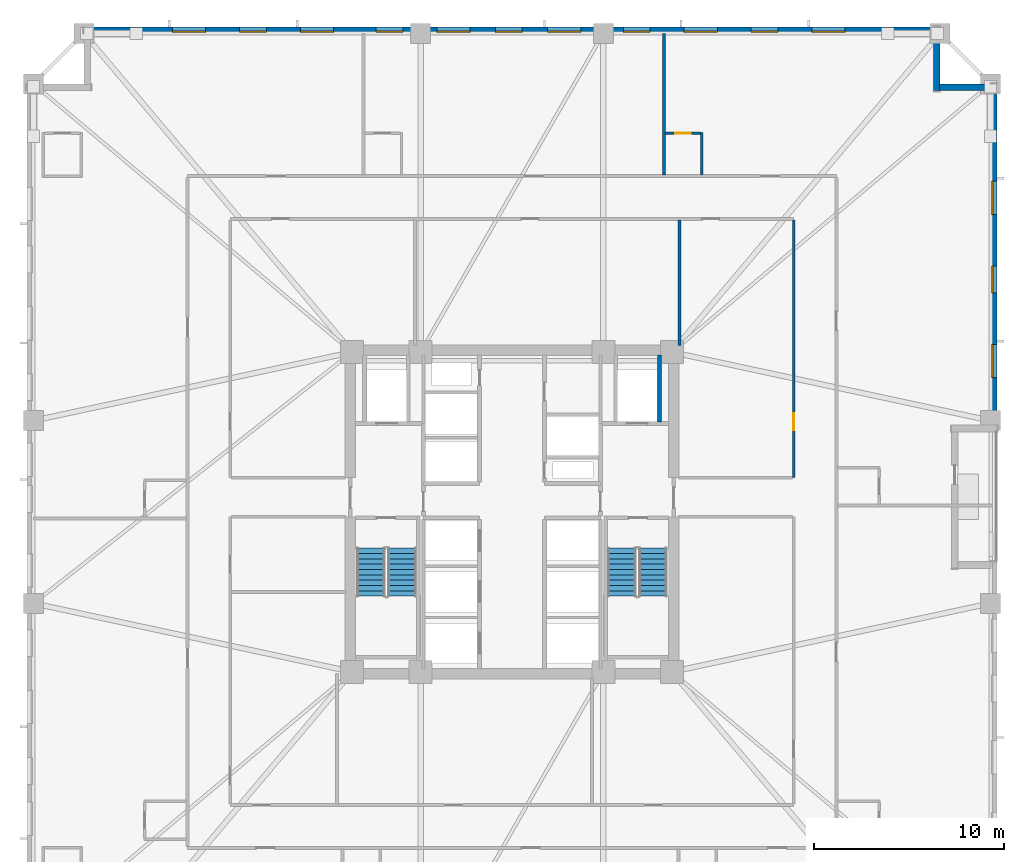
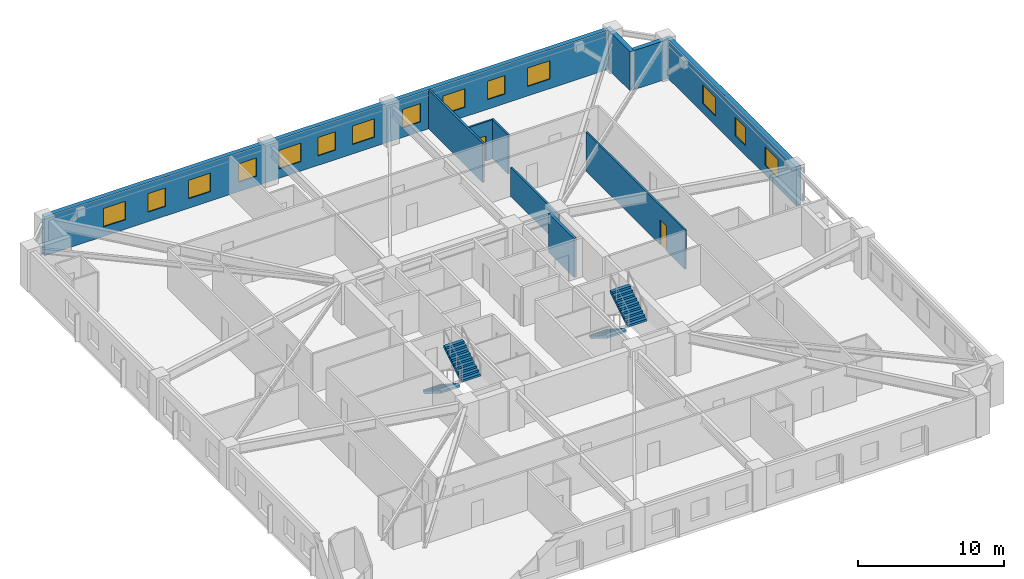
# One storey, part 6 of 11: 14 windows, 10 walls, 4 stair flights, 2 doors, 16 openings, 2 elements without a shape of their own.
"""IFC4 building model written with IfcOpenShell, lengths in metres."""

from ifc_helpers import new_model, si_unit, direction, frame, frame_2d, origin, place, context, subcontext, project, spatial, polyline, rectangle, outline, extrude, material, layer, layer_set, type_object, element, fill, aggregate, save


model = new_model("IFC4")

# Units and contexts
model_context = context("Model", 3, precision=1e-05, world=origin(), true_north=direction((0.0, 1.0)))
body_context = subcontext(model_context, "Body", "Model", "MODEL_VIEW")
ifc_project = project(units=[si_unit("LENGTHUNIT", "METRE"), si_unit("AREAUNIT", "SQUARE_METRE"), si_unit("VOLUMEUNIT", "CUBIC_METRE"), si_unit("PLANEANGLEUNIT", "RADIAN"), si_unit("MASSUNIT", "GRAM", prefix="KILO")], contexts=[model_context])

# Site, building, storey
site_placement = place(None, origin())
site = spatial("IfcSite", under=ifc_project, at=site_placement, CompositionType="ELEMENT")
building_placement = place(site_placement, origin())
building = spatial("IfcBuilding", under=site, at=building_placement, Name="Cairnveth Concourse Tower", CompositionType="ELEMENT")
storey_placement = place(building_placement, frame((0.0, 0.0, 72.5)))
storey = spatial("IfcBuildingStorey", under=building, at=storey_placement, Name="L19", CompositionType="ELEMENT", Elevation=72.5)

# Walls
ifc_material_1 = material(Name="Gypsum Plasterboard Partition", Category="gypsum")
ifc_layer_1 = layer(ifc_material_1, 0.159912109375)
ifc_layer_set_1 = layer_set([ifc_layer_1], Name="Gypsum Plasterboard Partition")
wall_type_1 = type_object("IfcWallType", Name="ACOUSTIC PARTY WALL 180", PredefinedType="PARTITIONING", material=ifc_layer_set_1)
wall_1_placement = place(storey_placement, frame((59.9775390625, 56.715087890625, 0.0), z_axis=(0.0, 0.0, 1.0), x_axis=(0.0, 1.0, 0.0)))
element("IfcWall", 1, at=wall_1_placement, inside=storey, type_object=wall_type_1, Name="Interior Wall IW-L19-073", PredefinedType="PARTITIONING", context=body_context, shape_type="SweptSolid", body=[
    extrude(rectangle(XDim=7.43994140625, YDim=0.159912109375, at=frame_2d((3.719970703125, 0.0))), origin(), (0.0, 0.0, 1.0), 3.280029296875),
])
ifc_material_2 = material(Name="Concrete N50 (50 MPa)", Category="concrete")
ifc_layer_2 = layer(ifc_material_2, 0.199951171875)
ifc_layer_set_2 = layer_set([ifc_layer_2], Name="Concrete N50 (50 MPa)")
wall_type_2 = type_object("IfcWallType", Name="FIRE SHAFT WALL 200", PredefinedType="SOLIDWALL", material=ifc_layer_set_2)
wall_2_placement = place(storey_placement, frame((59.75, 43.735107421875, 0.0), z_axis=(0.0, 0.0, 1.0), x_axis=(0.0, 1.0, 0.0)))
element("IfcWall", 2, at=wall_2_placement, inside=storey, type_object=wall_type_2, Name="Interior Wall IW-L19-024", PredefinedType="SOLIDWALL", context=body_context, shape_type="SweptSolid", body=[
    extrude(rectangle(XDim=3.5048828125, YDim=0.199951171875, at=frame_2d((1.75244140625, 0.0))), origin(), (0.0, 0.0, 1.0), 3.280029296875),
])

# Wall, opening, door
ifc_layer_3 = layer(ifc_material_1, 0.139892578125)
ifc_layer_set_3 = layer_set([ifc_layer_3], Name="Gypsum Plasterboard Partition")
wall_type_3 = type_object("IfcWallType", Name="GYPSUM STUD PARTITION 140", PredefinedType="PARTITIONING", material=ifc_layer_set_3)
wall_3_placement = place(storey_placement, frame((66.800048828125, 40.800048828125, 0.0), z_axis=(0.0, 0.0, 1.0), x_axis=(0.0, 1.0, 0.0)))
wall_3 = element("IfcWall", 3, at=wall_3_placement, inside=storey, type_object=wall_type_3, Name="Interior Wall IW-L19-048", PredefinedType="PARTITIONING", context=body_context, shape_type="SweptSolid", body=[
    extrude(rectangle(XDim=13.544921875, YDim=0.139892578125, at=frame_2d((6.7724609375, 0.0))), origin(), (0.0, 0.0, 1.0), 3.280029296875),
])
opening_1_placement = place(wall_3_placement, frame((2.5, 0.0, 0.0)))
opening_1 = element("IfcOpeningElement", 4, at=opening_1_placement, cuts=wall_3, Name="Opening ID18", PredefinedType="OPENING", context=body_context, shape_type="SweptSolid", body=[
    extrude(rectangle(XDim=0.8798828125, YDim=2.10009765625, at=frame_2d((0.43994140625, 1.050048828125))), frame((0.0, 0.079833984375, 0.0), z_axis=(0.0, -1.0, 0.0), x_axis=(1.0, 0.0, 0.0)), (0.0, 0.0, 1.0), 0.159912109375),
])
ifc_material_3 = material(Name="Solid Core Hardwood Timber Leaf", Category="wood")
door_type_1 = type_object("IfcDoorType", Name="INTERIOR SINGLE DOOR 880X2100", OperationType="NOTDEFINED", PredefinedType="DOOR", material=ifc_material_3)
door_1_placement = place(opening_1_placement, origin())
door_1 = element("IfcDoor", 5, at=door_1_placement, inside=storey, type_object=door_type_1, Name="Interior Door DR-L19-023", OperationType="SINGLE_SWING_LEFT", OverallHeight=2.10009765625, OverallWidth=0.8798828125, PredefinedType="DOOR", context=body_context, shape_type="SweptSolid", body=[
    extrude(rectangle(XDim=0.8798828125, YDim=2.10009765625, at=frame_2d((0.43994140625, 1.050048828125))), frame((0.0, 0.02490234375, 0.0), z_axis=(0.0, -1.0, 0.0), x_axis=(1.0, 0.0, 0.0)), (0.0, 0.0, 1.0), 0.050048828125),
])
fill(opening_1, door_1)

# Walls
wall_4_placement = place(storey_placement, frame((60.800048828125, 47.760009765625, 0.0), z_axis=(0.0, 0.0, 1.0), x_axis=(0.0, 1.0, 0.0)))
element("IfcWall", 6, at=wall_4_placement, inside=storey, type_object=wall_type_3, Name="Interior Wall IW-L19-054", PredefinedType="PARTITIONING", context=body_context, shape_type="SweptSolid", body=[
    extrude(rectangle(XDim=6.5849609375, YDim=0.139892578125, at=frame_2d((3.29248046875, 0.0))), origin(), (0.0, 0.0, 1.0), 2.43896484375),
])
ifc_layer_4 = layer(ifc_material_1, 0.1298828125)
ifc_layer_set_4 = layer_set([ifc_layer_4], Name="Gypsum Plasterboard Partition")
wall_type_4 = type_object("IfcWallType", Name="WET AREA PARTITION 140", PredefinedType="PLUMBINGWALL", material=ifc_layer_set_4)
wall_5_placement = place(storey_placement, frame((61.9775390625, 56.715087890625, 0.0), z_axis=(0.0, 0.0, 1.0), x_axis=(0.0, 1.0, 0.0)))
element("IfcWall", 7, at=wall_5_placement, inside=storey, type_object=wall_type_4, Name="Interior Wall IW-L19-074", PredefinedType="PLUMBINGWALL", context=body_context, shape_type="SweptSolid", body=[
    extrude(rectangle(XDim=2.23486328125, YDim=0.1298828125, at=frame_2d((1.117431640625, 0.0))), origin(), (0.0, 0.0, 1.0), 3.280029296875),
])

# Wall, opening, door
wall_6_placement = place(storey_placement, frame((60.04248046875, 58.89990234375, 0.0), z_axis=(0.0, 0.0, 1.0), x_axis=(1.0, 0.0, 0.0)))
wall_6 = element("IfcWall", 8, at=wall_6_placement, inside=storey, type_object=wall_type_4, Name="Interior Wall IW-L19-075", PredefinedType="PLUMBINGWALL", context=body_context, shape_type="SweptSolid", body=[
    extrude(rectangle(XDim=1.885009765625, YDim=0.1298828125, at=frame_2d((0.9423828125, 0.0))), origin(), (0.0, 0.0, 1.0), 3.280029296875),
])
opening_2_placement = place(wall_6_placement, frame((0.52490234375, 0.0, 0.0)))
opening_2 = element("IfcOpeningElement", 9, at=opening_2_placement, cuts=wall_6, Name="Opening ID22", PredefinedType="OPENING", context=body_context, shape_type="SweptSolid", body=[
    extrude(rectangle(XDim=0.820068359375, YDim=2.10009765625, at=frame_2d((0.41015625, 1.050048828125))), frame((0.0, 0.074951171875, 0.0), z_axis=(0.0, -1.0, 0.0), x_axis=(1.0, 0.0, 0.0)), (0.0, 0.0, 1.0), 0.14990234375),
])
door_type_2 = type_object("IfcDoorType", Name="INTERIOR WC DOOR 820X2100", OperationType="NOTDEFINED", PredefinedType="DOOR", material=ifc_material_3)
door_2_placement = place(opening_2_placement, origin())
door_2 = element("IfcDoor", 10, at=door_2_placement, inside=storey, type_object=door_type_2, Name="En-Suite Door L19-N3", OperationType="SINGLE_SWING_RIGHT", OverallHeight=2.10009765625, OverallWidth=0.820068359375, PredefinedType="DOOR", context=body_context, shape_type="SweptSolid", body=[
    extrude(rectangle(XDim=0.820068359375, YDim=2.10009765625, at=frame_2d((0.41015625, 1.050048828125))), frame((0.0, 0.02490234375, 0.0), z_axis=(0.0, -1.0, 0.0), x_axis=(1.0, 0.0, 0.0)), (0.0, 0.0, 1.0), 0.050048828125),
])
fill(opening_2, door_2)

# Wall, openings, windows
ifc_material_4 = material(Name="Hawthorn Red-Ochre Fired Clay Brick Masonry", Category="masonry")
ifc_layer_5 = layer(ifc_material_4, 0.360107421875)
ifc_layer_set_5 = layer_set([ifc_layer_5], Name="Hawthorn Red-Ochre Fired Clay Brick Masonry")
wall_type_5 = type_object("IfcWallType", Name="ZONE 1 BRICK PIER SPANDREL WALL 360", PredefinedType="SOLIDWALL", material=ifc_layer_set_5)
wall_7_placement = place(storey_placement, frame((29.5, 64.320068359375, 0.0), z_axis=(0.0, 0.0, 1.0), x_axis=(1.0, 0.0, 0.0)))
wall_7 = element("IfcWall", 11, at=wall_7_placement, inside=storey, type_object=wall_type_5, Name="Exterior Wall EW-L19-S09", PredefinedType="SOLIDWALL", context=body_context, shape_type="SweptSolid", body=[
    extrude(rectangle(XDim=44.662109375, YDim=0.360107421875, at=frame_2d((22.3310546875, 0.0))), origin(), (0.0, 0.0, 1.0), 3.280029296875),
])
opening_3_placement = place(wall_7_placement, frame((4.655029296875, 0.0, 0.800048828125)))
opening_3 = element("IfcOpeningElement", 12, at=opening_3_placement, cuts=wall_7, Name="Opening W06", PredefinedType="OPENING", context=body_context, shape_type="SweptSolid", body=[
    extrude(rectangle(XDim=1.75, YDim=1.5439453125, at=frame_2d((0.875, 0.77197265625))), frame((0.0, 0.18994140625, 0.0), z_axis=(0.0, -1.0, 0.0), x_axis=(1.0, 0.0, 0.0)), (0.0, 0.0, 1.0), 0.380126953125),
])
opening_4_placement = place(wall_7_placement, frame((8.190185546875, 0.0, 0.800048828125)))
opening_4 = element("IfcOpeningElement", 13, at=opening_4_placement, cuts=wall_7, Name="Opening W05", PredefinedType="OPENING", context=body_context, shape_type="SweptSolid", body=[
    extrude(rectangle(XDim=1.39990234375, YDim=1.5439453125, at=frame_2d((0.699951171875, 0.77197265625))), frame((0.0, 0.18994140625, 0.0), z_axis=(0.0, -1.0, 0.0), x_axis=(1.0, 0.0, 0.0)), (0.0, 0.0, 1.0), 0.380126953125),
])
opening_5_placement = place(wall_7_placement, frame((11.37548828125, 0.0, 0.800048828125)))
opening_5 = element("IfcOpeningElement", 14, at=opening_5_placement, cuts=wall_7, Name="Opening W06", PredefinedType="OPENING", context=body_context, shape_type="SweptSolid", body=[
    extrude(rectangle(XDim=1.75, YDim=1.5439453125, at=frame_2d((0.875, 0.77197265625))), frame((0.0, 0.18994140625, 0.0), z_axis=(0.0, -1.0, 0.0), x_axis=(1.0, 0.0, 0.0)), (0.0, 0.0, 1.0), 0.380126953125),
])
opening_6_placement = place(wall_7_placement, frame((15.360595703125, 0.0, 0.800048828125)))
opening_6 = element("IfcOpeningElement", 15, at=opening_6_placement, cuts=wall_7, Name="Opening W05", PredefinedType="OPENING", context=body_context, shape_type="SweptSolid", body=[
    extrude(rectangle(XDim=1.39990234375, YDim=1.5439453125, at=frame_2d((0.699951171875, 0.77197265625))), frame((0.0, 0.18994140625, 0.0), z_axis=(0.0, -1.0, 0.0), x_axis=(1.0, 0.0, 0.0)), (0.0, 0.0, 1.0), 0.380126953125),
])
opening_7_placement = place(wall_7_placement, frame((18.5458984375, 0.0, 0.800048828125)))
opening_7 = element("IfcOpeningElement", 16, at=opening_7_placement, cuts=wall_7, Name="Opening W06", PredefinedType="OPENING", context=body_context, shape_type="SweptSolid", body=[
    extrude(rectangle(XDim=1.75, YDim=1.5439453125, at=frame_2d((0.875, 0.77197265625))), frame((0.0, 0.18994140625, 0.0), z_axis=(0.0, -1.0, 0.0), x_axis=(1.0, 0.0, 0.0)), (0.0, 0.0, 1.0), 0.380126953125),
])
opening_8_placement = place(wall_7_placement, frame((21.631103515625, 0.0, 0.800048828125)))
opening_8 = element("IfcOpeningElement", 17, at=opening_8_placement, cuts=wall_7, Name="Opening W05", PredefinedType="OPENING", context=body_context, shape_type="SweptSolid", body=[
    extrude(rectangle(XDim=1.39990234375, YDim=1.5439453125, at=frame_2d((0.699951171875, 0.77197265625))), frame((0.0, 0.18994140625, 0.0), z_axis=(0.0, -1.0, 0.0), x_axis=(1.0, 0.0, 0.0)), (0.0, 0.0, 1.0), 0.380126953125),
])
opening_9_placement = place(wall_7_placement, frame((24.3662109375, 0.0, 0.800048828125)))
opening_9 = element("IfcOpeningElement", 18, at=opening_9_placement, cuts=wall_7, Name="Opening W06", PredefinedType="OPENING", context=body_context, shape_type="SweptSolid", body=[
    extrude(rectangle(XDim=1.75, YDim=1.5439453125, at=frame_2d((0.875, 0.77197265625))), frame((0.0, 0.18994140625, 0.0), z_axis=(0.0, -1.0, 0.0), x_axis=(1.0, 0.0, 0.0)), (0.0, 0.0, 1.0), 0.380126953125),
])
opening_10_placement = place(wall_7_placement, frame((28.351318359375, 0.0, 0.800048828125)))
opening_10 = element("IfcOpeningElement", 19, at=opening_10_placement, cuts=wall_7, Name="Opening W05", PredefinedType="OPENING", context=body_context, shape_type="SweptSolid", body=[
    extrude(rectangle(XDim=1.39990234375, YDim=1.5439453125, at=frame_2d((0.699951171875, 0.77197265625))), frame((0.0, 0.18994140625, 0.0), z_axis=(0.0, -1.0, 0.0), x_axis=(1.0, 0.0, 0.0)), (0.0, 0.0, 1.0), 0.380126953125),
])
opening_11_placement = place(wall_7_placement, frame((31.53662109375, 0.0, 0.800048828125)))
opening_11 = element("IfcOpeningElement", 20, at=opening_11_placement, cuts=wall_7, Name="Opening W06", PredefinedType="OPENING", context=body_context, shape_type="SweptSolid", body=[
    extrude(rectangle(XDim=1.75, YDim=1.5439453125, at=frame_2d((0.875, 0.77197265625))), frame((0.0, 0.18994140625, 0.0), z_axis=(0.0, -1.0, 0.0), x_axis=(1.0, 0.0, 0.0)), (0.0, 0.0, 1.0), 0.380126953125),
])
opening_12_placement = place(wall_7_placement, frame((35.07177734375, 0.0, 0.800048828125)))
opening_12 = element("IfcOpeningElement", 21, at=opening_12_placement, cuts=wall_7, Name="Opening W05", PredefinedType="OPENING", context=body_context, shape_type="SweptSolid", body=[
    extrude(rectangle(XDim=1.39990234375, YDim=1.5439453125, at=frame_2d((0.699951171875, 0.77197265625))), frame((0.0, 0.18994140625, 0.0), z_axis=(0.0, -1.0, 0.0), x_axis=(1.0, 0.0, 0.0)), (0.0, 0.0, 1.0), 0.380126953125),
])
opening_13_placement = place(wall_7_placement, frame((38.2568359375, 0.0, 0.800048828125)))
opening_13 = element("IfcOpeningElement", 22, at=opening_13_placement, cuts=wall_7, Name="Opening W06", PredefinedType="OPENING", context=body_context, shape_type="SweptSolid", body=[
    extrude(rectangle(XDim=1.75, YDim=1.5439453125, at=frame_2d((0.875, 0.77197265625))), frame((0.0, 0.18994140625, 0.0), z_axis=(0.0, -1.0, 0.0), x_axis=(1.0, 0.0, 0.0)), (0.0, 0.0, 1.0), 0.380126953125),
])
ifc_material_5 = material(Name="Double Glazed Low-E Clear Glass", Category="glass")
window_type_1 = type_object("IfcWindowType", Name="DEEP-SET HOTEL CASEMENT WINDOW 1400X1750", PartitioningType="DOUBLE_PANEL_VERTICAL", PredefinedType="WINDOW", material=ifc_material_5)
window_1_placement = place(opening_4_placement, origin())
window_1 = element("IfcWindow", 23, at=window_1_placement, inside=storey, type_object=window_type_1, Name="Gothic Lancet Window L19-9-2", OverallHeight=1.5439453125, OverallWidth=1.39990234375, PartitioningType="SINGLE_PANEL", PredefinedType="WINDOW", context=body_context, shape_type="SweptSolid", body=[
    extrude(rectangle(XDim=1.39990234375, YDim=1.5439453125, at=frame_2d((0.699951171875, 0.77197265625))), frame((0.0, -0.050048828125, 0.0), z_axis=(0.0, -1.0, 0.0), x_axis=(1.0, 0.0, 0.0)), (0.0, 0.0, 1.0), 0.06005859375),
])
fill(opening_4, window_1)
window_2_placement = place(opening_6_placement, origin())
window_2 = element("IfcWindow", 24, at=window_2_placement, inside=storey, type_object=window_type_1, Name="Gothic Lancet Window L19-9-4", OverallHeight=1.5439453125, OverallWidth=1.39990234375, PartitioningType="SINGLE_PANEL", PredefinedType="WINDOW", context=body_context, shape_type="SweptSolid", body=[
    extrude(rectangle(XDim=1.39990234375, YDim=1.5439453125, at=frame_2d((0.699951171875, 0.77197265625))), frame((0.0, -0.050048828125, 0.0), z_axis=(0.0, -1.0, 0.0), x_axis=(1.0, 0.0, 0.0)), (0.0, 0.0, 1.0), 0.06005859375),
])
fill(opening_6, window_2)
window_3_placement = place(opening_8_placement, origin())
window_3 = element("IfcWindow", 25, at=window_3_placement, inside=storey, type_object=window_type_1, Name="Gothic Lancet Window L19-9-6", OverallHeight=1.5439453125, OverallWidth=1.39990234375, PartitioningType="SINGLE_PANEL", PredefinedType="WINDOW", context=body_context, shape_type="SweptSolid", body=[
    extrude(rectangle(XDim=1.39990234375, YDim=1.5439453125, at=frame_2d((0.699951171875, 0.77197265625))), frame((0.0, -0.050048828125, 0.0), z_axis=(0.0, -1.0, 0.0), x_axis=(1.0, 0.0, 0.0)), (0.0, 0.0, 1.0), 0.06005859375),
])
fill(opening_8, window_3)
window_4_placement = place(opening_10_placement, origin())
window_4 = element("IfcWindow", 26, at=window_4_placement, inside=storey, type_object=window_type_1, Name="Gothic Lancet Window L19-9-8", OverallHeight=1.5439453125, OverallWidth=1.39990234375, PartitioningType="SINGLE_PANEL", PredefinedType="WINDOW", context=body_context, shape_type="SweptSolid", body=[
    extrude(rectangle(XDim=1.39990234375, YDim=1.5439453125, at=frame_2d((0.699951171875, 0.77197265625))), frame((0.0, -0.050048828125, 0.0), z_axis=(0.0, -1.0, 0.0), x_axis=(1.0, 0.0, 0.0)), (0.0, 0.0, 1.0), 0.06005859375),
])
fill(opening_10, window_4)
window_5_placement = place(opening_12_placement, origin())
window_5 = element("IfcWindow", 27, at=window_5_placement, inside=storey, type_object=window_type_1, Name="Gothic Lancet Window L19-9-10", OverallHeight=1.5439453125, OverallWidth=1.39990234375, PartitioningType="SINGLE_PANEL", PredefinedType="WINDOW", context=body_context, shape_type="SweptSolid", body=[
    extrude(rectangle(XDim=1.39990234375, YDim=1.5439453125, at=frame_2d((0.699951171875, 0.77197265625))), frame((0.0, -0.050048828125, 0.0), z_axis=(0.0, -1.0, 0.0), x_axis=(1.0, 0.0, 0.0)), (0.0, 0.0, 1.0), 0.06005859375),
])
fill(opening_12, window_5)
window_type_2 = type_object("IfcWindowType", Name="DEEP-SET HOTEL SUITE WINDOW 1750X1800", PartitioningType="DOUBLE_PANEL_VERTICAL", PredefinedType="WINDOW", material=ifc_material_5)
window_6_placement = place(opening_3_placement, origin())
window_6 = element("IfcWindow", 28, at=window_6_placement, inside=storey, type_object=window_type_2, Name="Gothic Lancet Window L19-9-1", OverallHeight=1.5439453125, OverallWidth=1.75, PartitioningType="SINGLE_PANEL", PredefinedType="WINDOW", context=body_context, shape_type="SweptSolid", body=[
    extrude(rectangle(XDim=1.75, YDim=1.5439453125, at=frame_2d((0.875, 0.77197265625))), frame((0.0, -0.050048828125, 0.0), z_axis=(0.0, -1.0, 0.0), x_axis=(1.0, 0.0, 0.0)), (0.0, 0.0, 1.0), 0.06005859375),
])
fill(opening_3, window_6)
window_7_placement = place(opening_5_placement, origin())
window_7 = element("IfcWindow", 29, at=window_7_placement, inside=storey, type_object=window_type_2, Name="Gothic Lancet Window L19-9-3", OverallHeight=1.5439453125, OverallWidth=1.75, PartitioningType="SINGLE_PANEL", PredefinedType="WINDOW", context=body_context, shape_type="SweptSolid", body=[
    extrude(rectangle(XDim=1.75, YDim=1.5439453125, at=frame_2d((0.875, 0.77197265625))), frame((0.0, -0.050048828125, 0.0), z_axis=(0.0, -1.0, 0.0), x_axis=(1.0, 0.0, 0.0)), (0.0, 0.0, 1.0), 0.06005859375),
])
fill(opening_5, window_7)
window_8_placement = place(opening_7_placement, origin())
window_8 = element("IfcWindow", 30, at=window_8_placement, inside=storey, type_object=window_type_2, Name="Gothic Lancet Window L19-9-5", OverallHeight=1.5439453125, OverallWidth=1.75, PartitioningType="SINGLE_PANEL", PredefinedType="WINDOW", context=body_context, shape_type="SweptSolid", body=[
    extrude(rectangle(XDim=1.75, YDim=1.5439453125, at=frame_2d((0.875, 0.77197265625))), frame((0.0, -0.050048828125, 0.0), z_axis=(0.0, -1.0, 0.0), x_axis=(1.0, 0.0, 0.0)), (0.0, 0.0, 1.0), 0.06005859375),
])
fill(opening_7, window_8)
window_9_placement = place(opening_9_placement, origin())
window_9 = element("IfcWindow", 31, at=window_9_placement, inside=storey, type_object=window_type_2, Name="Gothic Lancet Window L19-9-7", OverallHeight=1.5439453125, OverallWidth=1.75, PartitioningType="SINGLE_PANEL", PredefinedType="WINDOW", context=body_context, shape_type="SweptSolid", body=[
    extrude(rectangle(XDim=1.75, YDim=1.5439453125, at=frame_2d((0.875, 0.77197265625))), frame((0.0, -0.050048828125, 0.0), z_axis=(0.0, -1.0, 0.0), x_axis=(1.0, 0.0, 0.0)), (0.0, 0.0, 1.0), 0.06005859375),
])
fill(opening_9, window_9)
window_10_placement = place(opening_11_placement, origin())
window_10 = element("IfcWindow", 32, at=window_10_placement, inside=storey, type_object=window_type_2, Name="Gothic Lancet Window L19-9-9", OverallHeight=1.5439453125, OverallWidth=1.75, PartitioningType="SINGLE_PANEL", PredefinedType="WINDOW", context=body_context, shape_type="SweptSolid", body=[
    extrude(rectangle(XDim=1.75, YDim=1.5439453125, at=frame_2d((0.875, 0.77197265625))), frame((0.0, -0.050048828125, 0.0), z_axis=(0.0, -1.0, 0.0), x_axis=(1.0, 0.0, 0.0)), (0.0, 0.0, 1.0), 0.06005859375),
])
fill(opening_11, window_10)
window_11_placement = place(opening_13_placement, origin())
window_11 = element("IfcWindow", 33, at=window_11_placement, inside=storey, type_object=window_type_2, Name="Gothic Lancet Window L19-9-11", OverallHeight=1.5439453125, OverallWidth=1.75, PartitioningType="SINGLE_PANEL", PredefinedType="WINDOW", context=body_context, shape_type="SweptSolid", body=[
    extrude(rectangle(XDim=1.75, YDim=1.5439453125, at=frame_2d((0.875, 0.77197265625))), frame((0.0, -0.050048828125, 0.0), z_axis=(0.0, -1.0, 0.0), x_axis=(1.0, 0.0, 0.0)), (0.0, 0.0, 1.0), 0.06005859375),
])
fill(opening_13, window_11)

# Walls
wall_8_placement = place(storey_placement, frame((74.320068359375, 64.5, 0.0), z_axis=(0.0, 0.0, 1.0), x_axis=(0.0, -1.0, 0.0)))
element("IfcWall", 34, at=wall_8_placement, inside=storey, type_object=wall_type_5, Name="Exterior Wall EW-L19-S10", PredefinedType="SOLIDWALL", context=body_context, shape_type="SweptSolid", body=[
    extrude(rectangle(XDim=3.360107421875, YDim=0.360107421875, at=frame_2d((1.68017578125, 0.0))), origin(), (0.0, 0.0, 1.0), 3.280029296875),
])
wall_9_placement = place(storey_placement, frame((74.47802734375, 61.320068359375, 0.0), z_axis=(0.0, 0.0, 1.0), x_axis=(1.0, 0.0, 0.0)))
element("IfcWall", 35, at=wall_9_placement, inside=storey, type_object=wall_type_5, Name="Exterior Wall EW-L19-S11", PredefinedType="SOLIDWALL", context=body_context, shape_type="SweptSolid", body=[
    extrude(rectangle(XDim=2.68408203125, YDim=0.360107421875, at=frame_2d((1.342041015625, 0.0))), origin(), (0.0, 0.0, 1.0), 3.280029296875),
])

# Wall, openings, windows
wall_10_placement = place(storey_placement, frame((77.320068359375, 61.5, 0.0), z_axis=(0.0, 0.0, 1.0), x_axis=(0.0, -1.0, 0.0)))
wall_10 = element("IfcWall", 36, at=wall_10_placement, inside=storey, type_object=wall_type_5, Name="Exterior Wall EW-L19-S12", PredefinedType="SOLIDWALL", context=body_context, shape_type="SweptSolid", body=[
    extrude(rectangle(XDim=17.9619140625, YDim=0.360107421875, at=frame_2d((8.98095703125, 0.0))), origin(), (0.0, 0.0, 1.0), 3.280029296875),
])
opening_14_placement = place(wall_10_placement, frame((5.11865234375, 0.0, 0.800048828125)))
opening_14 = element("IfcOpeningElement", 37, at=opening_14_placement, cuts=wall_10, Name="Opening W06", PredefinedType="OPENING", context=body_context, shape_type="SweptSolid", body=[
    extrude(rectangle(XDim=1.75, YDim=1.5439453125, at=frame_2d((0.875, 0.77197265625))), frame((0.0, 0.18994140625, 0.0), z_axis=(0.0, -1.0, 0.0), x_axis=(1.0, 0.0, 0.0)), (0.0, 0.0, 1.0), 0.380126953125),
])
opening_15_placement = place(wall_10_placement, frame((9.5810546875, 0.0, 0.800048828125)))
opening_15 = element("IfcOpeningElement", 38, at=opening_15_placement, cuts=wall_10, Name="Opening W05", PredefinedType="OPENING", context=body_context, shape_type="SweptSolid", body=[
    extrude(rectangle(XDim=1.39990234375, YDim=1.5439453125, at=frame_2d((0.699951171875, 0.77197265625))), frame((0.0, 0.18994140625, 0.0), z_axis=(0.0, -1.0, 0.0), x_axis=(1.0, 0.0, 0.0)), (0.0, 0.0, 1.0), 0.380126953125),
])
opening_16_placement = place(wall_10_placement, frame((13.693359375, 0.0, 0.800048828125)))
opening_16 = element("IfcOpeningElement", 39, at=opening_16_placement, cuts=wall_10, Name="Opening W06", PredefinedType="OPENING", context=body_context, shape_type="SweptSolid", body=[
    extrude(rectangle(XDim=1.75, YDim=1.5439453125, at=frame_2d((0.875, 0.77197265625))), frame((0.0, 0.18994140625, 0.0), z_axis=(0.0, -1.0, 0.0), x_axis=(1.0, 0.0, 0.0)), (0.0, 0.0, 1.0), 0.380126953125),
])
window_12_placement = place(opening_15_placement, origin())
window_12 = element("IfcWindow", 40, at=window_12_placement, inside=storey, type_object=window_type_1, Name="Gothic Lancet Window L19-12-2", OverallHeight=1.5439453125, OverallWidth=1.39990234375, PartitioningType="SINGLE_PANEL", PredefinedType="WINDOW", context=body_context, shape_type="SweptSolid", body=[
    extrude(rectangle(XDim=1.39990234375, YDim=1.5439453125, at=frame_2d((0.699951171875, 0.77197265625))), frame((0.0, -0.050048828125, 0.0), z_axis=(0.0, -1.0, 0.0), x_axis=(1.0, 0.0, 0.0)), (0.0, 0.0, 1.0), 0.06005859375),
])
fill(opening_15, window_12)
window_13_placement = place(opening_14_placement, origin())
window_13 = element("IfcWindow", 41, at=window_13_placement, inside=storey, type_object=window_type_2, Name="Gothic Lancet Window L19-12-1", OverallHeight=1.5439453125, OverallWidth=1.75, PartitioningType="SINGLE_PANEL", PredefinedType="WINDOW", context=body_context, shape_type="SweptSolid", body=[
    extrude(rectangle(XDim=1.75, YDim=1.5439453125, at=frame_2d((0.875, 0.77197265625))), frame((0.0, -0.050048828125, 0.0), z_axis=(0.0, -1.0, 0.0), x_axis=(1.0, 0.0, 0.0)), (0.0, 0.0, 1.0), 0.06005859375),
])
fill(opening_14, window_13)
window_14_placement = place(opening_16_placement, origin())
window_14 = element("IfcWindow", 42, at=window_14_placement, inside=storey, type_object=window_type_2, Name="Gothic Lancet Window L19-12-3", OverallHeight=1.5439453125, OverallWidth=1.75, PartitioningType="SINGLE_PANEL", PredefinedType="WINDOW", context=body_context, shape_type="SweptSolid", body=[
    extrude(rectangle(XDim=1.75, YDim=1.5439453125, at=frame_2d((0.875, 0.77197265625))), frame((0.0, -0.050048828125, 0.0), z_axis=(0.0, -1.0, 0.0), x_axis=(1.0, 0.0, 0.0)), (0.0, 0.0, 1.0), 0.06005859375),
])
fill(opening_16, window_14)

# Stair, stair flights
ifc_material_6 = material(Name="Precast concrete N50 (50 MPa)", Category="concrete")
stair_type = type_object("IfcStairType", Name="CORE DOG-LEG FIRE STAIR 1500", PredefinedType="HALF_TURN_STAIR", material=ifc_material_6)
stair_1_placement = place(storey_placement, origin())
stair_1 = element("IfcStair", 43, at=stair_1_placement, inside=storey, type_object=stair_type, Name="L19 Fire-Isolated Stair ST-1", PredefinedType="HALF_TURN_STAIR")
stair_flight_type = type_object("IfcStairFlightType", Name="PRECAST CONCRETE STAIR FLIGHT 1500", PredefinedType="STRAIGHT", material=ifc_material_6)
stair_flight_1_placement = place(storey_placement, frame((44.590087890625, 37.10009765625, 0.0), z_axis=(0.0, 0.0, 1.0), x_axis=(0.0, -1.0, 0.0)))
stair_flight_1 = element("IfcStairFlight", 44, at=stair_flight_1_placement, type_object=stair_flight_type, Name="ST-1 flight 1", NumberOfRisers=10, NumberOfTreads=9, PredefinedType="STRAIGHT", RiserHeight=0.175, TreadLength=0.28, context=body_context, shape_type="SweptSolid", body=[
    extrude(outline(polyline([(0.0, 0.0), (0.0, 0.175048828125), (0.280029296875, 0.175048828125), (0.280029296875, 0.35009765625), (0.56005859375, 0.35009765625), (0.56005859375, 0.52490234375), (0.840087890625, 0.52490234375), (0.840087890625, 0.699951171875), (1.1201171875, 0.699951171875), (1.1201171875, 0.875), (1.39990234375, 0.875), (1.39990234375, 1.050048828125), (1.679931640625, 1.050048828125), (1.679931640625, 1.22509765625), (1.9599609375, 1.22509765625), (1.9599609375, 1.39990234375), (2.239990234375, 1.39990234375), (2.239990234375, 1.574951171875), (2.52001953125, 1.574951171875), (2.52001953125, 1.75), (2.52001953125, 1.398193359375), (0.28271484375, 0.0), (0.0, 0.0)])), frame((0.0, 0.75, 0.0), z_axis=(0.0, -1.0, 0.0), x_axis=(1.0, 0.0, 0.0)), (0.0, 0.0, 1.0), 1.5),
])
stair_flight_2_placement = place(storey_placement, frame((46.22998046875, 34.580078125, 1.75), z_axis=(0.0, 0.0, 1.0), x_axis=(0.0, 1.0, 0.0)))
stair_flight_2 = element("IfcStairFlight", 45, at=stair_flight_2_placement, type_object=stair_flight_type, Name="ST-1 flight 2", NumberOfRisers=10, NumberOfTreads=9, PredefinedType="STRAIGHT", RiserHeight=0.175, TreadLength=0.28, context=body_context, shape_type="SweptSolid", body=[
    extrude(outline(polyline([(0.0, 0.0), (0.0, 0.175048828125), (0.280029296875, 0.175048828125), (0.280029296875, 0.35009765625), (0.56005859375, 0.35009765625), (0.56005859375, 0.52490234375), (0.840087890625, 0.52490234375), (0.840087890625, 0.699951171875), (1.1201171875, 0.699951171875), (1.1201171875, 0.875), (1.39990234375, 0.875), (1.39990234375, 1.050048828125), (1.679931640625, 1.050048828125), (1.679931640625, 1.22509765625), (1.9599609375, 1.22509765625), (1.9599609375, 1.39990234375), (2.239990234375, 1.39990234375), (2.239990234375, 1.574951171875), (2.52001953125, 1.574951171875), (2.52001953125, 1.75), (2.52001953125, 1.398193359375), (0.28271484375, 0.0), (0.0, 0.0)])), frame((0.0, 0.75, 0.0), z_axis=(0.0, -1.0, 0.0), x_axis=(1.0, 0.0, 0.0)), (0.0, 0.0, 1.0), 1.5),
])
aggregate(stair_1, [stair_flight_1, stair_flight_2])

stair_2_placement = place(storey_placement, origin())
stair_2 = element("IfcStair", 46, at=stair_2_placement, inside=storey, type_object=stair_type, Name="L19 Fire-Isolated Stair ST-2", PredefinedType="HALF_TURN_STAIR")
stair_flight_3_placement = place(storey_placement, frame((57.77001953125, 37.10009765625, 0.0), z_axis=(0.0, 0.0, 1.0), x_axis=(0.0, -1.0, 0.0)))
stair_flight_3 = element("IfcStairFlight", 47, at=stair_flight_3_placement, type_object=stair_flight_type, Name="ST-2 flight 1", NumberOfRisers=10, NumberOfTreads=9, PredefinedType="STRAIGHT", RiserHeight=0.175, TreadLength=0.28, context=body_context, shape_type="SweptSolid", body=[
    extrude(outline(polyline([(0.0, 0.0), (0.0, 0.175048828125), (0.280029296875, 0.175048828125), (0.280029296875, 0.35009765625), (0.56005859375, 0.35009765625), (0.56005859375, 0.52490234375), (0.840087890625, 0.52490234375), (0.840087890625, 0.699951171875), (1.1201171875, 0.699951171875), (1.1201171875, 0.875), (1.39990234375, 0.875), (1.39990234375, 1.050048828125), (1.679931640625, 1.050048828125), (1.679931640625, 1.22509765625), (1.9599609375, 1.22509765625), (1.9599609375, 1.39990234375), (2.239990234375, 1.39990234375), (2.239990234375, 1.574951171875), (2.52001953125, 1.574951171875), (2.52001953125, 1.75), (2.52001953125, 1.398193359375), (0.28271484375, 0.0), (0.0, 0.0)])), frame((0.0, 0.75, 0.0), z_axis=(0.0, -1.0, 0.0), x_axis=(1.0, 0.0, 0.0)), (0.0, 0.0, 1.0), 1.5),
])
stair_flight_4_placement = place(storey_placement, frame((59.409912109375, 34.580078125, 1.75), z_axis=(0.0, 0.0, 1.0), x_axis=(0.0, 1.0, 0.0)))
stair_flight_4 = element("IfcStairFlight", 48, at=stair_flight_4_placement, type_object=stair_flight_type, Name="ST-2 flight 2", NumberOfRisers=10, NumberOfTreads=9, PredefinedType="STRAIGHT", RiserHeight=0.175, TreadLength=0.28, context=body_context, shape_type="SweptSolid", body=[
    extrude(outline(polyline([(0.0, 0.0), (0.0, 0.175048828125), (0.280029296875, 0.175048828125), (0.280029296875, 0.35009765625), (0.56005859375, 0.35009765625), (0.56005859375, 0.52490234375), (0.840087890625, 0.52490234375), (0.840087890625, 0.699951171875), (1.1201171875, 0.699951171875), (1.1201171875, 0.875), (1.39990234375, 0.875), (1.39990234375, 1.050048828125), (1.679931640625, 1.050048828125), (1.679931640625, 1.22509765625), (1.9599609375, 1.22509765625), (1.9599609375, 1.39990234375), (2.239990234375, 1.39990234375), (2.239990234375, 1.574951171875), (2.52001953125, 1.574951171875), (2.52001953125, 1.75), (2.52001953125, 1.398193359375), (0.28271484375, 0.0), (0.0, 0.0)])), frame((0.0, 0.75, 0.0), z_axis=(0.0, -1.0, 0.0), x_axis=(1.0, 0.0, 0.0)), (0.0, 0.0, 1.0), 1.5),
])
aggregate(stair_2, [stair_flight_3, stair_flight_4])

save(model, "model.ifc")
